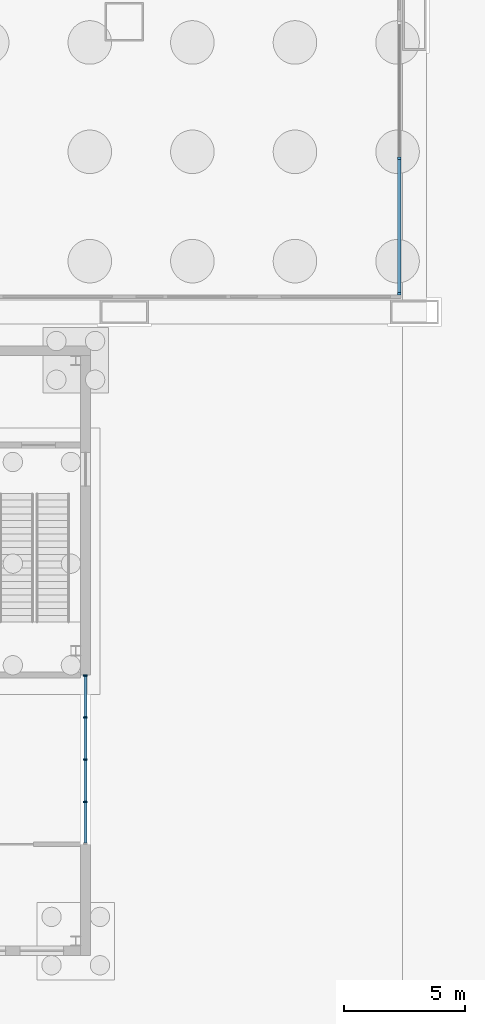
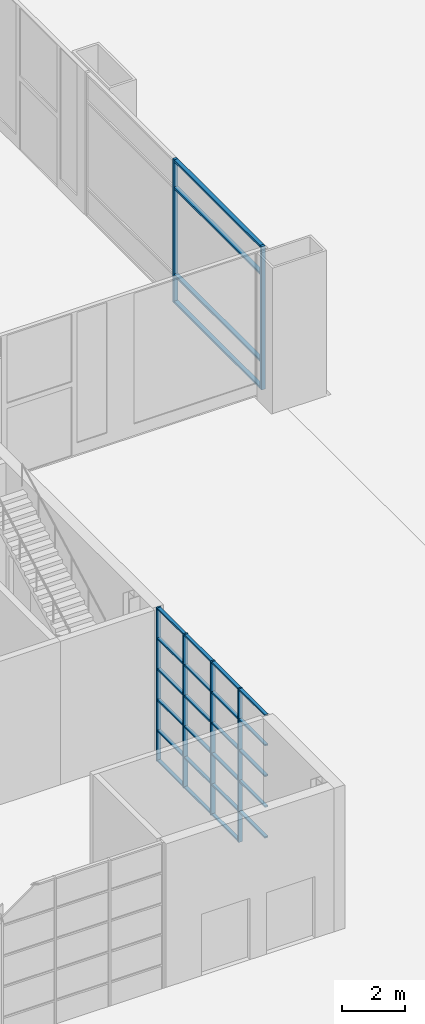
# One storey, part 10 of 29: 33 members, 2 elements without a shape of their own.
"""IFC4 building model written with IfcOpenShell, lengths in metres."""

from ifc_helpers import new_model, si_unit, direction, frame, origin, origin_2d, place, context, subcontext, project, spatial, rectangle, extrude, material, layer, layer_set, material_profile, profile_set, type_object, element, aggregate, save


model = new_model("IFC4")

# Units and contexts
model_context = context("Model", 3, precision=1e-05, world=origin(), true_north=direction((0.0, 1.0)))
body_context = subcontext(model_context, "Body", "Model", "MODEL_VIEW")
ifc_project = project(units=[si_unit("LENGTHUNIT", "METRE"), si_unit("AREAUNIT", "SQUARE_METRE"), si_unit("VOLUMEUNIT", "CUBIC_METRE"), si_unit("PLANEANGLEUNIT", "RADIAN"), si_unit("MASSUNIT", "GRAM", prefix="KILO")], contexts=[model_context])

# Site, building, storey
site_placement = place(None, origin())
site = spatial("IfcSite", under=ifc_project, at=site_placement, CompositionType="ELEMENT")
building_placement = place(site_placement, origin())
building = spatial("IfcBuilding", under=site, at=building_placement, Name="Kitamizu Gate Tower and Museum", CompositionType="ELEMENT")
storey_placement = place(building_placement, origin())
storey = spatial("IfcBuildingStorey", under=building, at=storey_placement, Name="L00", CompositionType="ELEMENT", Elevation=0.0)

# Curtain wall, members
ifc_material_1 = material(Name="Bronze anodised aluminium frame, tinted triple glazing", Category="aluminium")
curtain_wall_type_1 = type_object("IfcCurtainWallType", Name="CURTAIN WALL TYPE A PODIUM", PredefinedType="NOTDEFINED", material=ifc_material_1)
curtain_wall_1_placement = place(storey_placement, origin())
curtain_wall_1 = element("IfcCurtainWall", 1, at=curtain_wall_1_placement, inside=storey, type_object=curtain_wall_type_1, Name="Curtain wall CW-A east L00", PredefinedType="NOTDEFINED")
ifc_material_2 = material(Name="Bronze anodised aluminium", Category="aluminium")
ifc_material_profile_1 = material_profile(ifc_material_2, rectangle(XDim=0.090087890625, YDim=0.14990234375, at=origin_2d()), Name="AL 90X150")
ifc_profile_set_1 = profile_set([ifc_material_profile_1], Name="Bronze anodised aluminium")
member_type_1 = type_object("IfcMemberType", Name="MULLION 90 X 150 TYPE A", PredefinedType="MULLION", material=ifc_profile_set_1)
member_1_placement = place(storey_placement, frame((23.364990234375, 0.7548828125, 0.0), z_axis=(0.0, 0.0, 1.0), x_axis=(0.0, 1.0, 0.0)))
member_1 = element("IfcMember", 2, at=member_1_placement, type_object=member_type_1, Name="CW-A mullion 1", PredefinedType="MULLION", context=body_context, shape_type="SweptSolid", body=[
    extrude(rectangle(XDim=0.090087890625, YDim=0.14990234375, at=origin_2d()), origin(), (0.0, 0.0, 1.0), 5.60009765625),
])
member_2_placement = place(storey_placement, frame((23.364990234375, 6.35498046875, 0.0), z_axis=(0.0, 0.0, 1.0), x_axis=(0.0, 1.0, 0.0)))
member_2 = element("IfcMember", 3, at=member_2_placement, type_object=member_type_1, Name="CW-A mullion 2", PredefinedType="MULLION", context=body_context, shape_type="SweptSolid", body=[
    extrude(rectangle(XDim=0.090087890625, YDim=0.14990234375, at=origin_2d()), origin(), (0.0, 0.0, 1.0), 5.60009765625),
])

ifc_material_3 = material(Name="Bronze anodised aluminium frame, tinted triple glazing", Category="aluminium")
ifc_layer = layer(ifc_material_3, 0.39990234375)
ifc_layer_set = layer_set([ifc_layer], Name="Bronze anodised aluminium frame, tinted triple glazing")
curtain_wall_type_2 = type_object("IfcCurtainWallType", Name="Museum atrium curtain wall D", PredefinedType="NOTDEFINED", material=ifc_layer_set)
curtain_wall_2_placement = place(storey_placement, origin())
curtain_wall_2 = element("IfcCurtainWall", 4, at=curtain_wall_2_placement, inside=storey, type_object=curtain_wall_type_2, Name="Atrium curtain wall Em22mm15", PredefinedType="NOTDEFINED")
ifc_material_4 = material(Name="Bronze anodised aluminium", Category="aluminium")
ifc_material_profile_2 = material_profile(ifc_material_4, rectangle(XDim=0.06005859375, YDim=0.159912109375, at=origin_2d()), Name="60x160")
ifc_profile_set_2 = profile_set([ifc_material_profile_2], Name="Bronze anodised aluminium")
member_type_2 = type_object("IfcMemberType", Name="Museum curtain wall mullion 60x160", PredefinedType="MULLION", material=ifc_profile_set_2)
member_3_placement = place(storey_placement, frame((10.39990234375, -20.25, -0.39990234375), z_axis=(0.0, 0.0, 1.0), x_axis=(0.0, 1.0, 0.0)))
member_3 = element("IfcMember", 5, at=member_3_placement, type_object=member_type_2, Name="CW-D mullion 2", PredefinedType="MULLION", context=body_context, shape_type="SweptSolid", body=[
    extrude(rectangle(XDim=0.06005859375, YDim=0.159912109375, at=origin_2d()), origin(), (0.0, 0.0, 1.0), 6.0),
])
member_4_placement = place(storey_placement, frame((10.39990234375, -18.5, -0.39990234375), z_axis=(0.0, 0.0, 1.0), x_axis=(0.0, 1.0, 0.0)))
member_4 = element("IfcMember", 6, at=member_4_placement, type_object=member_type_2, Name="CW-D mullion 3", PredefinedType="MULLION", context=body_context, shape_type="SweptSolid", body=[
    extrude(rectangle(XDim=0.06005859375, YDim=0.159912109375, at=origin_2d()), origin(), (0.0, 0.0, 1.0), 6.0),
])
member_5_placement = place(storey_placement, frame((10.39990234375, -16.75, -0.39990234375), z_axis=(0.0, 0.0, 1.0), x_axis=(0.0, 1.0, 0.0)))
member_5 = element("IfcMember", 7, at=member_5_placement, type_object=member_type_2, Name="CW-D mullion 4", PredefinedType="MULLION", context=body_context, shape_type="SweptSolid", body=[
    extrude(rectangle(XDim=0.06005859375, YDim=0.159912109375, at=origin_2d()), origin(), (0.0, 0.0, 1.0), 6.0),
])
member_6_placement = place(storey_placement, frame((10.39990234375, -15.030029296875, -0.39990234375), z_axis=(0.0, 0.0, 1.0), x_axis=(0.0, 1.0, 0.0)))
member_6 = element("IfcMember", 8, at=member_6_placement, type_object=member_type_2, Name="CW-D mullion 5", PredefinedType="MULLION", context=body_context, shape_type="SweptSolid", body=[
    extrude(rectangle(XDim=0.06005859375, YDim=0.159912109375, at=origin_2d()), origin(), (0.0, 0.0, 1.0), 6.0),
])
ifc_material_5 = material(Name="Bronze anodised aluminium", Category="aluminium")
ifc_material_profile_3 = material_profile(ifc_material_5, rectangle(XDim=0.1201171875, YDim=0.06005859375, at=origin_2d()), Name="120x60")
ifc_profile_set_3 = profile_set([ifc_material_profile_3], Name="Bronze anodised aluminium")
member_type_3 = type_object("IfcMemberType", Name="Museum curtain wall transom 60x120", PredefinedType="USERDEFINED", material=ifc_profile_set_3)
member_7_placement = place(storey_placement, frame((10.39990234375, -21.93994140625, 0.800048828125), z_axis=(0.0, 1.0, 0.0), x_axis=(-1.0, 0.0, 0.0)))
member_7 = element("IfcMember", 9, at=member_7_placement, type_object=member_type_3, Name="CW-D transom 1.2", ObjectType="TRANSOM", PredefinedType="USERDEFINED", context=body_context, shape_type="SweptSolid", body=[
    extrude(rectangle(XDim=0.1201171875, YDim=0.06005859375, at=origin_2d()), origin(), (0.0, 0.0, 1.0), 1.659912109375),
])
member_8_placement = place(storey_placement, frame((10.39990234375, -21.93994140625, 2.0), z_axis=(0.0, 1.0, 0.0), x_axis=(-1.0, 0.0, 0.0)))
member_8 = element("IfcMember", 10, at=member_8_placement, type_object=member_type_3, Name="CW-D transom 1.3", ObjectType="TRANSOM", PredefinedType="USERDEFINED", context=body_context, shape_type="SweptSolid", body=[
    extrude(rectangle(XDim=0.1201171875, YDim=0.06005859375, at=origin_2d()), origin(), (0.0, 0.0, 1.0), 1.659912109375),
])
member_9_placement = place(storey_placement, frame((10.39990234375, -21.93994140625, 3.199951171875), z_axis=(0.0, 1.0, 0.0), x_axis=(-1.0, 0.0, 0.0)))
member_9 = element("IfcMember", 11, at=member_9_placement, type_object=member_type_3, Name="CW-D transom 1.4", ObjectType="TRANSOM", PredefinedType="USERDEFINED", context=body_context, shape_type="SweptSolid", body=[
    extrude(rectangle(XDim=0.1201171875, YDim=0.06005859375, at=origin_2d()), origin(), (0.0, 0.0, 1.0), 1.659912109375),
])
member_10_placement = place(storey_placement, frame((10.39990234375, -21.93994140625, 4.39990234375), z_axis=(0.0, 1.0, 0.0), x_axis=(-1.0, 0.0, 0.0)))
member_10 = element("IfcMember", 12, at=member_10_placement, type_object=member_type_3, Name="CW-D transom 1.5", ObjectType="TRANSOM", PredefinedType="USERDEFINED", context=body_context, shape_type="SweptSolid", body=[
    extrude(rectangle(XDim=0.1201171875, YDim=0.06005859375, at=origin_2d()), origin(), (0.0, 0.0, 1.0), 1.659912109375),
])
member_11_placement = place(storey_placement, frame((10.39990234375, -21.93994140625, 5.570068359375), z_axis=(0.0, 1.0, 0.0), x_axis=(-1.0, 0.0, 0.0)))
member_11 = element("IfcMember", 13, at=member_11_placement, type_object=member_type_3, Name="CW-D transom 1.6", ObjectType="TRANSOM", PredefinedType="USERDEFINED", context=body_context, shape_type="SweptSolid", body=[
    extrude(rectangle(XDim=0.1201171875, YDim=0.06005859375, at=origin_2d()), origin(), (0.0, 0.0, 1.0), 1.659912109375),
])
member_12_placement = place(storey_placement, frame((10.39990234375, -20.219970703125, -0.3701171875), z_axis=(0.0, 1.0, 0.0), x_axis=(-1.0, 0.0, 0.0)))
member_12 = element("IfcMember", 14, at=member_12_placement, type_object=member_type_3, Name="CW-D transom 2.1", ObjectType="TRANSOM", PredefinedType="USERDEFINED", context=body_context, shape_type="SweptSolid", body=[
    extrude(rectangle(XDim=0.1201171875, YDim=0.06005859375, at=origin_2d()), origin(), (0.0, 0.0, 1.0), 1.68994140625),
])
member_13_placement = place(storey_placement, frame((10.39990234375, -20.219970703125, 0.800048828125), z_axis=(0.0, 1.0, 0.0), x_axis=(-1.0, 0.0, 0.0)))
member_13 = element("IfcMember", 15, at=member_13_placement, type_object=member_type_3, Name="CW-D transom 2.2", ObjectType="TRANSOM", PredefinedType="USERDEFINED", context=body_context, shape_type="SweptSolid", body=[
    extrude(rectangle(XDim=0.1201171875, YDim=0.06005859375, at=origin_2d()), origin(), (0.0, 0.0, 1.0), 1.68994140625),
])
member_14_placement = place(storey_placement, frame((10.39990234375, -20.219970703125, 2.0), z_axis=(0.0, 1.0, 0.0), x_axis=(-1.0, 0.0, 0.0)))
member_14 = element("IfcMember", 16, at=member_14_placement, type_object=member_type_3, Name="CW-D transom 2.3", ObjectType="TRANSOM", PredefinedType="USERDEFINED", context=body_context, shape_type="SweptSolid", body=[
    extrude(rectangle(XDim=0.1201171875, YDim=0.06005859375, at=origin_2d()), origin(), (0.0, 0.0, 1.0), 1.68994140625),
])
member_15_placement = place(storey_placement, frame((10.39990234375, -20.219970703125, 3.199951171875), z_axis=(0.0, 1.0, 0.0), x_axis=(-1.0, 0.0, 0.0)))
member_15 = element("IfcMember", 17, at=member_15_placement, type_object=member_type_3, Name="CW-D transom 2.4", ObjectType="TRANSOM", PredefinedType="USERDEFINED", context=body_context, shape_type="SweptSolid", body=[
    extrude(rectangle(XDim=0.1201171875, YDim=0.06005859375, at=origin_2d()), origin(), (0.0, 0.0, 1.0), 1.68994140625),
])
member_16_placement = place(storey_placement, frame((10.39990234375, -20.219970703125, 4.39990234375), z_axis=(0.0, 1.0, 0.0), x_axis=(-1.0, 0.0, 0.0)))
member_16 = element("IfcMember", 18, at=member_16_placement, type_object=member_type_3, Name="CW-D transom 2.5", ObjectType="TRANSOM", PredefinedType="USERDEFINED", context=body_context, shape_type="SweptSolid", body=[
    extrude(rectangle(XDim=0.1201171875, YDim=0.06005859375, at=origin_2d()), origin(), (0.0, 0.0, 1.0), 1.68994140625),
])
member_17_placement = place(storey_placement, frame((10.39990234375, -20.219970703125, 5.570068359375), z_axis=(0.0, 1.0, 0.0), x_axis=(-1.0, 0.0, 0.0)))
member_17 = element("IfcMember", 19, at=member_17_placement, type_object=member_type_3, Name="CW-D transom 2.6", ObjectType="TRANSOM", PredefinedType="USERDEFINED", context=body_context, shape_type="SweptSolid", body=[
    extrude(rectangle(XDim=0.1201171875, YDim=0.06005859375, at=origin_2d()), origin(), (0.0, 0.0, 1.0), 1.68994140625),
])
member_18_placement = place(storey_placement, frame((10.39990234375, -18.469970703125, -0.3701171875), z_axis=(0.0, 1.0, 0.0), x_axis=(-1.0, 0.0, 0.0)))
member_18 = element("IfcMember", 20, at=member_18_placement, type_object=member_type_3, Name="CW-D transom 3.1", ObjectType="TRANSOM", PredefinedType="USERDEFINED", context=body_context, shape_type="SweptSolid", body=[
    extrude(rectangle(XDim=0.1201171875, YDim=0.06005859375, at=origin_2d()), origin(), (0.0, 0.0, 1.0), 1.68994140625),
])
member_19_placement = place(storey_placement, frame((10.39990234375, -18.469970703125, 0.800048828125), z_axis=(0.0, 1.0, 0.0), x_axis=(-1.0, 0.0, 0.0)))
member_19 = element("IfcMember", 21, at=member_19_placement, type_object=member_type_3, Name="CW-D transom 3.2", ObjectType="TRANSOM", PredefinedType="USERDEFINED", context=body_context, shape_type="SweptSolid", body=[
    extrude(rectangle(XDim=0.1201171875, YDim=0.06005859375, at=origin_2d()), origin(), (0.0, 0.0, 1.0), 1.68994140625),
])
member_20_placement = place(storey_placement, frame((10.39990234375, -18.469970703125, 2.0), z_axis=(0.0, 1.0, 0.0), x_axis=(-1.0, 0.0, 0.0)))
member_20 = element("IfcMember", 22, at=member_20_placement, type_object=member_type_3, Name="CW-D transom 3.3", ObjectType="TRANSOM", PredefinedType="USERDEFINED", context=body_context, shape_type="SweptSolid", body=[
    extrude(rectangle(XDim=0.1201171875, YDim=0.06005859375, at=origin_2d()), origin(), (0.0, 0.0, 1.0), 1.68994140625),
])
member_21_placement = place(storey_placement, frame((10.39990234375, -18.469970703125, 3.199951171875), z_axis=(0.0, 1.0, 0.0), x_axis=(-1.0, 0.0, 0.0)))
member_21 = element("IfcMember", 23, at=member_21_placement, type_object=member_type_3, Name="CW-D transom 3.4", ObjectType="TRANSOM", PredefinedType="USERDEFINED", context=body_context, shape_type="SweptSolid", body=[
    extrude(rectangle(XDim=0.1201171875, YDim=0.06005859375, at=origin_2d()), origin(), (0.0, 0.0, 1.0), 1.68994140625),
])
member_22_placement = place(storey_placement, frame((10.39990234375, -18.469970703125, 4.39990234375), z_axis=(0.0, 1.0, 0.0), x_axis=(-1.0, 0.0, 0.0)))
member_22 = element("IfcMember", 24, at=member_22_placement, type_object=member_type_3, Name="CW-D transom 3.5", ObjectType="TRANSOM", PredefinedType="USERDEFINED", context=body_context, shape_type="SweptSolid", body=[
    extrude(rectangle(XDim=0.1201171875, YDim=0.06005859375, at=origin_2d()), origin(), (0.0, 0.0, 1.0), 1.68994140625),
])
member_23_placement = place(storey_placement, frame((10.39990234375, -18.469970703125, 5.570068359375), z_axis=(0.0, 1.0, 0.0), x_axis=(-1.0, 0.0, 0.0)))
member_23 = element("IfcMember", 25, at=member_23_placement, type_object=member_type_3, Name="CW-D transom 3.6", ObjectType="TRANSOM", PredefinedType="USERDEFINED", context=body_context, shape_type="SweptSolid", body=[
    extrude(rectangle(XDim=0.1201171875, YDim=0.06005859375, at=origin_2d()), origin(), (0.0, 0.0, 1.0), 1.68994140625),
])
member_24_placement = place(storey_placement, frame((10.39990234375, -16.719970703125, -0.3701171875), z_axis=(0.0, 1.0, 0.0), x_axis=(-1.0, 0.0, 0.0)))
member_24 = element("IfcMember", 26, at=member_24_placement, type_object=member_type_3, Name="CW-D transom 4.1", ObjectType="TRANSOM", PredefinedType="USERDEFINED", context=body_context, shape_type="SweptSolid", body=[
    extrude(rectangle(XDim=0.1201171875, YDim=0.06005859375, at=origin_2d()), origin(), (0.0, 0.0, 1.0), 1.659912109375),
])
member_25_placement = place(storey_placement, frame((10.39990234375, -16.719970703125, 0.800048828125), z_axis=(0.0, 1.0, 0.0), x_axis=(-1.0, 0.0, 0.0)))
member_25 = element("IfcMember", 27, at=member_25_placement, type_object=member_type_3, Name="CW-D transom 4.2", ObjectType="TRANSOM", PredefinedType="USERDEFINED", context=body_context, shape_type="SweptSolid", body=[
    extrude(rectangle(XDim=0.1201171875, YDim=0.06005859375, at=origin_2d()), origin(), (0.0, 0.0, 1.0), 1.659912109375),
])
member_26_placement = place(storey_placement, frame((10.39990234375, -16.719970703125, 2.0), z_axis=(0.0, 1.0, 0.0), x_axis=(-1.0, 0.0, 0.0)))
member_26 = element("IfcMember", 28, at=member_26_placement, type_object=member_type_3, Name="CW-D transom 4.3", ObjectType="TRANSOM", PredefinedType="USERDEFINED", context=body_context, shape_type="SweptSolid", body=[
    extrude(rectangle(XDim=0.1201171875, YDim=0.06005859375, at=origin_2d()), origin(), (0.0, 0.0, 1.0), 1.659912109375),
])
member_27_placement = place(storey_placement, frame((10.39990234375, -16.719970703125, 3.199951171875), z_axis=(0.0, 1.0, 0.0), x_axis=(-1.0, 0.0, 0.0)))
member_27 = element("IfcMember", 29, at=member_27_placement, type_object=member_type_3, Name="CW-D transom 4.4", ObjectType="TRANSOM", PredefinedType="USERDEFINED", context=body_context, shape_type="SweptSolid", body=[
    extrude(rectangle(XDim=0.1201171875, YDim=0.06005859375, at=origin_2d()), origin(), (0.0, 0.0, 1.0), 1.659912109375),
])
member_28_placement = place(storey_placement, frame((10.39990234375, -16.719970703125, 4.39990234375), z_axis=(0.0, 1.0, 0.0), x_axis=(-1.0, 0.0, 0.0)))
member_28 = element("IfcMember", 30, at=member_28_placement, type_object=member_type_3, Name="CW-D transom 4.5", ObjectType="TRANSOM", PredefinedType="USERDEFINED", context=body_context, shape_type="SweptSolid", body=[
    extrude(rectangle(XDim=0.1201171875, YDim=0.06005859375, at=origin_2d()), origin(), (0.0, 0.0, 1.0), 1.659912109375),
])
member_29_placement = place(storey_placement, frame((10.39990234375, -16.719970703125, 5.570068359375), z_axis=(0.0, 1.0, 0.0), x_axis=(-1.0, 0.0, 0.0)))
member_29 = element("IfcMember", 31, at=member_29_placement, type_object=member_type_3, Name="CW-D transom 4.6", ObjectType="TRANSOM", PredefinedType="USERDEFINED", context=body_context, shape_type="SweptSolid", body=[
    extrude(rectangle(XDim=0.1201171875, YDim=0.06005859375, at=origin_2d()), origin(), (0.0, 0.0, 1.0), 1.659912109375),
])
aggregate(curtain_wall_2, [member_3, member_4, member_5, member_6, member_7, member_8, member_9, member_10, member_11, member_12, member_13, member_14, member_15, member_16, member_17, member_18, member_19, member_20, member_21, member_22, member_23, member_24, member_25, member_26, member_27, member_28, member_29])

# Member
ifc_material_6 = material(Name="Bronze anodised aluminium", Category="aluminium")
ifc_material_profile_4 = material_profile(ifc_material_6, rectangle(XDim=0.14990234375, YDim=0.080078125, at=origin_2d()), Name="AL 80X150")
ifc_profile_set_4 = profile_set([ifc_material_profile_4], Name="Bronze anodised aluminium")
member_type_4 = type_object("IfcMemberType", Name="TRANSOM 80 X 150 TYPE A", PredefinedType="USERDEFINED", material=ifc_profile_set_4)
member_30_placement = place(storey_placement, frame((23.364990234375, 0.800048828125, 0.0400390625), z_axis=(0.0, 1.0, 0.0), x_axis=(-1.0, 0.0, 0.0)))
member_30 = element("IfcMember", 32, at=member_30_placement, type_object=member_type_4, Name="CW-A transom 1.1", ObjectType="TRANSOM", PredefinedType="USERDEFINED", context=body_context, shape_type="SweptSolid", body=[
    extrude(rectangle(XDim=0.14990234375, YDim=0.080078125, at=origin_2d()), origin(), (0.0, 0.0, 1.0), 5.510009765625),
])

member_31_placement = place(storey_placement, frame((23.364990234375, 0.800048828125, 1.10009765625), z_axis=(0.0, 1.0, 0.0), x_axis=(-1.0, 0.0, 0.0)))
member_31 = element("IfcMember", 33, at=member_31_placement, type_object=member_type_4, Name="CW-A transom 1.2", ObjectType="TRANSOM", PredefinedType="USERDEFINED", context=body_context, shape_type="SweptSolid", body=[
    extrude(rectangle(XDim=0.14990234375, YDim=0.080078125, at=origin_2d()), origin(), (0.0, 0.0, 1.0), 5.510009765625),
])

member_32_placement = place(storey_placement, frame((23.364990234375, 0.800048828125, 4.5), z_axis=(0.0, 1.0, 0.0), x_axis=(-1.0, 0.0, 0.0)))
member_32 = element("IfcMember", 34, at=member_32_placement, type_object=member_type_4, Name="CW-A transom 1.3", ObjectType="TRANSOM", PredefinedType="USERDEFINED", context=body_context, shape_type="SweptSolid", body=[
    extrude(rectangle(XDim=0.14990234375, YDim=0.080078125, at=origin_2d()), origin(), (0.0, 0.0, 1.0), 5.510009765625),
])

member_33_placement = place(storey_placement, frame((23.364990234375, 0.800048828125, 5.56005859375), z_axis=(0.0, 1.0, 0.0), x_axis=(-1.0, 0.0, 0.0)))
member_33 = element("IfcMember", 35, at=member_33_placement, type_object=member_type_4, Name="CW-A transom 1.4", ObjectType="TRANSOM", PredefinedType="USERDEFINED", context=body_context, shape_type="SweptSolid", body=[
    extrude(rectangle(XDim=0.14990234375, YDim=0.080078125, at=origin_2d()), origin(), (0.0, 0.0, 1.0), 5.510009765625),
])

aggregate(curtain_wall_1, [member_1, member_2, member_30, member_31, member_32, member_33])

save(model, "model.ifc")
